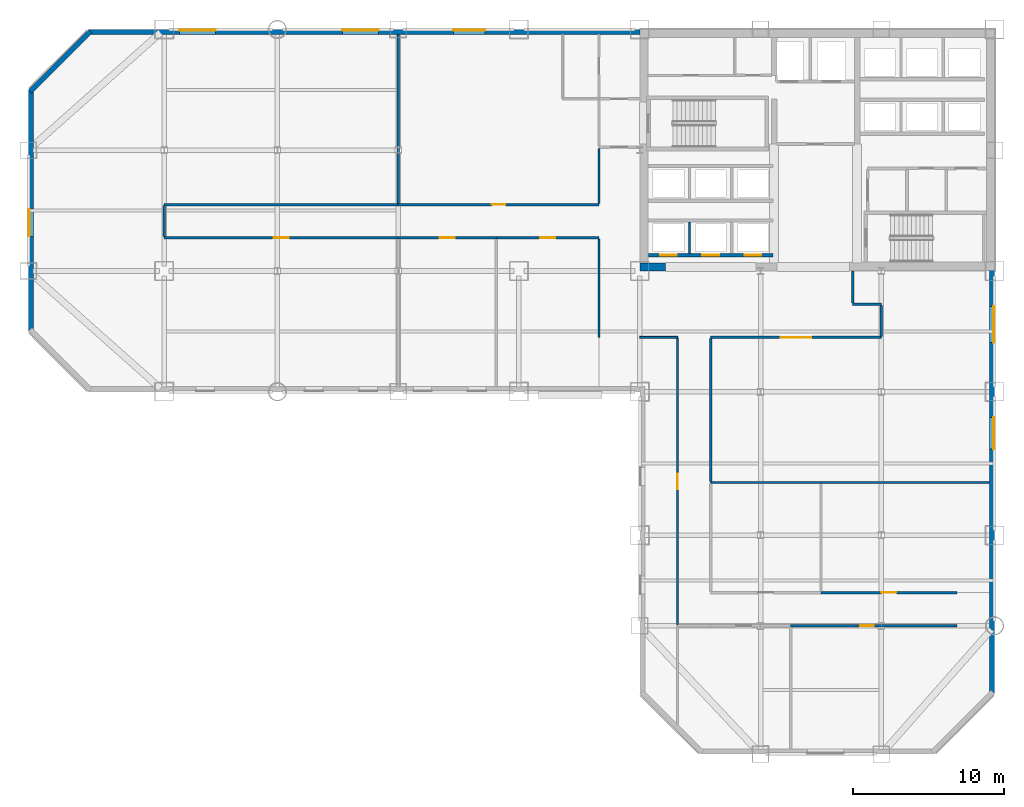
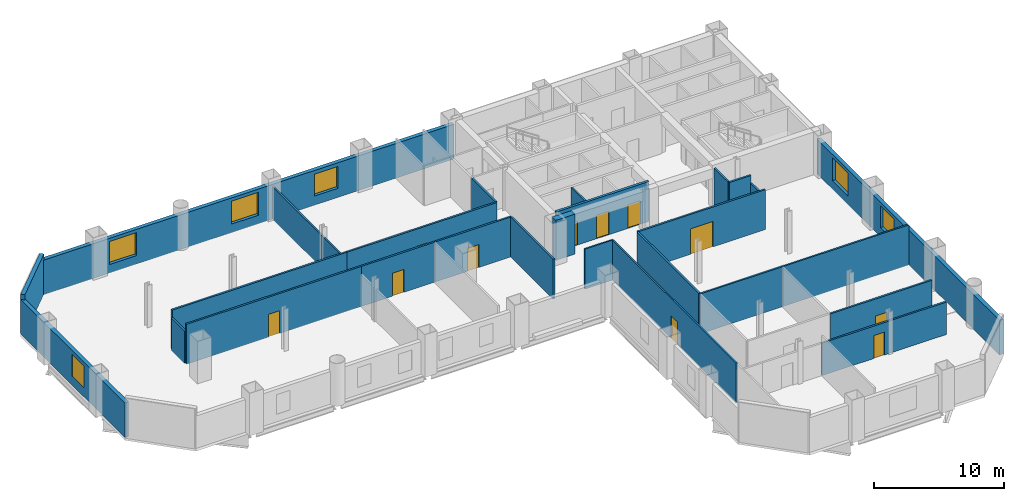
# One storey, part 5 of 9: 27 walls, 11 doors, 6 windows, 17 openings.
"""IFC4 building model written with IfcOpenShell, lengths in metres."""

from ifc_helpers import new_model, si_unit, direction, frame, frame_2d, origin, place, context, subcontext, project, spatial, rectangle, extrude, material, layer, layer_set, type_object, element, fill, save


model = new_model("IFC4")

# Units and contexts
model_context = context("Model", 3, precision=1e-05, world=origin(), true_north=direction((0.0, 1.0)))
body_context = subcontext(model_context, "Body", "Model", "MODEL_VIEW")
ifc_project = project(units=[si_unit("LENGTHUNIT", "METRE"), si_unit("AREAUNIT", "SQUARE_METRE"), si_unit("VOLUMEUNIT", "CUBIC_METRE"), si_unit("PLANEANGLEUNIT", "RADIAN"), si_unit("MASSUNIT", "GRAM", prefix="KILO")], contexts=[model_context])

# Site, building, storey
site_placement = place(None, origin())
site = spatial("IfcSite", under=ifc_project, at=site_placement, CompositionType="ELEMENT")
building_placement = place(site_placement, origin())
building = spatial("IfcBuilding", under=site, at=building_placement, Name="Qianrong Seaharbour Tower", CompositionType="ELEMENT")
storey_placement = place(building_placement, frame((0.0, 0.0, 60.199951171875)))
storey = spatial("IfcBuildingStorey", under=building, at=storey_placement, Name="L14", CompositionType="ELEMENT", Elevation=60.199951171875)

# Wall
ifc_material_1 = material(Name="Concrete C70/85", Category="concrete")
ifc_layer_1 = layer(ifc_material_1, 0.5400390625)
ifc_layer_set_1 = layer_set([ifc_layer_1], Name="Concrete C70/85")
wall_type_1 = type_object("IfcWallType", Name="WALL-CORE-540", PredefinedType="SHEAR", material=ifc_layer_set_1)
wall_1_placement = place(storey_placement, frame((40.5, 36.27001953125, 0.0), z_axis=(0.0, 0.0, 1.0), x_axis=(1.0, 0.0, 0.0)))
element("IfcWall", 1, at=wall_1_placement, inside=storey, type_object=wall_type_1, Name="L14 South Core Shear Wall S1", PredefinedType="SHEAR", context=body_context, shape_type="SweptSolid", body=[
    extrude(rectangle(XDim=1.699951171875, YDim=0.5400390625, at=frame_2d((0.85009765625, 0.0))), origin(), (0.0, 0.0, 1.0), 3.75),
])

# Wall, opening, door
ifc_material_2 = material(Name="Fire-rated acoustic gypsum board partition")
ifc_layer_2 = layer(ifc_material_2, 0.1650390625)
ifc_layer_set_2 = layer_set([ifc_layer_2], Name="Fire-rated acoustic gypsum board partition")
wall_type_2 = type_object("IfcWallType", Name="WALL-CORR-PART-165", PredefinedType="PARTITIONING", material=ifc_layer_set_2)
wall_2_placement = place(storey_placement, frame((24.5, 38.199951171875, 0.0), z_axis=(0.0, 0.0, 1.0), x_axis=(-1.0, 0.0, 0.0)))
wall_2 = element("IfcWall", 2, at=wall_2_placement, inside=storey, type_object=wall_type_2, Name="L14 Interior Partition Wall 017", PredefinedType="PARTITIONING", context=body_context, shape_type="SweptSolid", body=[
    extrude(rectangle(XDim=15.5, YDim=0.1650390625, at=frame_2d((7.75, 0.0))), origin(), (0.0, 0.0, 1.0), 3.75),
])
opening_1_placement = place(wall_2_placement, frame((7.25, 0.0, 0.0)))
opening_1 = element("IfcOpeningElement", 3, at=opening_1_placement, cuts=wall_2, Name="Opening DO-01", PredefinedType="OPENING", context=body_context, shape_type="SweptSolid", body=[
    extrude(rectangle(XDim=1.0, YDim=2.14990234375, at=frame_2d((0.5, 1.074951171875))), frame((0.0, 0.092529296875, 0.0), z_axis=(0.0, -1.0, 0.0), x_axis=(1.0, 0.0, 0.0)), (0.0, 0.0, 1.0), 0.18505859375),
])
ifc_material_3 = material(Name="Acoustic timber and galvanized steel fire door assembly", Category="steel")
door_type_1 = type_object("IfcDoorType", Name="DOOR-OFFICE-1000x2150", OperationType="NOTDEFINED", PredefinedType="DOOR", material=ifc_material_3)
door_1_placement = place(opening_1_placement, origin())
door_1 = element("IfcDoor", 4, at=door_1_placement, inside=storey, type_object=door_type_1, Name="L14 West Harbour Open-Plan Office Door", OperationType="SINGLE_SWING_LEFT", OverallHeight=2.14990234375, OverallWidth=1.0, PredefinedType="DOOR", context=body_context, shape_type="SweptSolid", body=[
    extrude(rectangle(XDim=1.0, YDim=2.14990234375, at=frame_2d((0.5, 1.074951171875))), frame((0.0, 0.02490234375, 0.0), z_axis=(0.0, -1.0, 0.0), x_axis=(1.0, 0.0, 0.0)), (0.0, 0.0, 1.0), 0.050048828125),
])
fill(opening_1, door_1)

# Walls
wall_3_placement = place(storey_placement, frame((9.0, 38.2744140625, 0.0), z_axis=(0.0, 0.0, 1.0), x_axis=(0.0, 1.0, 0.0)))
element("IfcWall", 5, at=wall_3_placement, inside=storey, type_object=wall_type_2, Name="L14 Interior Partition Wall 018", PredefinedType="PARTITIONING", context=body_context, shape_type="SweptSolid", body=[
    extrude(rectangle(XDim=2.051025390625, YDim=0.1650390625, at=frame_2d((1.025390625, 0.0))), origin(), (0.0, 0.0, 1.0), 3.0419921875),
])
wall_4_placement = place(storey_placement, frame((9.0, 40.39990234375, 0.0), z_axis=(0.0, 0.0, 1.0), x_axis=(1.0, 0.0, 0.0)))
element("IfcWall", 6, at=wall_4_placement, inside=storey, type_object=wall_type_2, Name="L14 Interior Partition Wall 019", PredefinedType="PARTITIONING", context=body_context, shape_type="SweptSolid", body=[
    extrude(rectangle(XDim=15.5, YDim=0.1650390625, at=frame_2d((7.75, 0.0))), origin(), (0.0, 0.0, 1.0), 3.75),
])

# Wall, opening, door
wall_5_placement = place(storey_placement, frame((24.5, 40.39990234375, 0.0), z_axis=(0.0, 0.0, 1.0), x_axis=(1.0, 0.0, 0.0)))
wall_5 = element("IfcWall", 7, at=wall_5_placement, inside=storey, type_object=wall_type_2, Name="L14 Interior Partition Wall 020", PredefinedType="PARTITIONING", context=body_context, shape_type="SweptSolid", body=[
    extrude(rectangle(XDim=13.300048828125, YDim=0.1650390625, at=frame_2d((6.64990234375, 0.0))), origin(), (0.0, 0.0, 1.0), 3.75),
])
opening_2_placement = place(wall_5_placement, frame((6.199951171875, 0.0, 0.0)))
opening_2 = element("IfcOpeningElement", 8, at=opening_2_placement, cuts=wall_5, Name="Opening DS-01", PredefinedType="OPENING", context=body_context, shape_type="SweptSolid", body=[
    extrude(rectangle(XDim=0.89990234375, YDim=2.14990234375, at=frame_2d((0.449951171875, 1.074951171875))), frame((0.0, 0.092529296875, 0.0), z_axis=(0.0, -1.0, 0.0), x_axis=(1.0, 0.0, 0.0)), (0.0, 0.0, 1.0), 0.18505859375),
])
door_type_2 = type_object("IfcDoorType", Name="DOOR-STORE-900x2150", OperationType="NOTDEFINED", PredefinedType="DOOR", material=ifc_material_3)
door_2_placement = place(opening_2_placement, origin())
door_2 = element("IfcDoor", 9, at=door_2_placement, inside=storey, type_object=door_type_2, Name="L14 Corporate Archive Room Door", OperationType="SINGLE_SWING_RIGHT", OverallHeight=2.14990234375, OverallWidth=0.89990234375, PredefinedType="DOOR", context=body_context, shape_type="SweptSolid", body=[
    extrude(rectangle(XDim=0.89990234375, YDim=2.14990234375, at=frame_2d((0.449951171875, 1.074951171875))), frame((0.0, 0.02490234375, 0.0), z_axis=(0.0, -1.0, 0.0), x_axis=(1.0, 0.0, 0.0)), (0.0, 0.0, 1.0), 0.050048828125),
])
fill(opening_2, door_2)

wall_6_placement = place(storey_placement, frame((31.0, 38.199951171875, 0.0), z_axis=(0.0, 0.0, 1.0), x_axis=(-1.0, 0.0, 0.0)))
wall_6 = element("IfcWall", 10, at=wall_6_placement, inside=storey, type_object=wall_type_2, Name="L14 Interior Partition Wall 021", PredefinedType="PARTITIONING", context=body_context, shape_type="SweptSolid", body=[
    extrude(rectangle(XDim=6.5, YDim=0.1650390625, at=frame_2d((3.25, 0.0))), origin(), (0.0, 0.0, 1.0), 3.75),
])
opening_3_placement = place(wall_6_placement, frame((2.75, 0.0, 0.0)))
opening_3 = element("IfcOpeningElement", 11, at=opening_3_placement, cuts=wall_6, Name="Opening DO-01", PredefinedType="OPENING", context=body_context, shape_type="SweptSolid", body=[
    extrude(rectangle(XDim=1.0, YDim=2.14990234375, at=frame_2d((0.5, 1.074951171875))), frame((0.0, 0.092529296875, 0.0), z_axis=(0.0, -1.0, 0.0), x_axis=(1.0, 0.0, 0.0)), (0.0, 0.0, 1.0), 0.18505859375),
])
door_3_placement = place(opening_3_placement, origin())
door_3 = element("IfcDoor", 12, at=door_3_placement, inside=storey, type_object=door_type_1, Name="L14 Project Library 1 Door", OperationType="SINGLE_SWING_LEFT", OverallHeight=2.14990234375, OverallWidth=1.0, PredefinedType="DOOR", context=body_context, shape_type="SweptSolid", body=[
    extrude(rectangle(XDim=1.0, YDim=2.14990234375, at=frame_2d((0.5, 1.074951171875))), frame((0.0, 0.02490234375, 0.0), z_axis=(0.0, -1.0, 0.0), x_axis=(1.0, 0.0, 0.0)), (0.0, 0.0, 1.0), 0.050048828125),
])
fill(opening_3, door_3)

wall_7_placement = place(storey_placement, frame((37.800048828125, 38.199951171875, 0.0), z_axis=(0.0, 0.0, 1.0), x_axis=(-1.0, 0.0, 0.0)))
wall_7 = element("IfcWall", 13, at=wall_7_placement, inside=storey, type_object=wall_type_2, Name="L14 Interior Partition Wall 022", PredefinedType="PARTITIONING", context=body_context, shape_type="SweptSolid", body=[
    extrude(rectangle(XDim=6.800048828125, YDim=0.1650390625, at=frame_2d((3.39990234375, 0.0))), origin(), (0.0, 0.0, 1.0), 3.75),
])
opening_4_placement = place(wall_7_placement, frame((2.89990234375, 0.0, 0.0)))
opening_4 = element("IfcOpeningElement", 14, at=opening_4_placement, cuts=wall_7, Name="Opening DO-01", PredefinedType="OPENING", context=body_context, shape_type="SweptSolid", body=[
    extrude(rectangle(XDim=1.0, YDim=2.14990234375, at=frame_2d((0.5, 1.074951171875))), frame((0.0, 0.092529296875, 0.0), z_axis=(0.0, -1.0, 0.0), x_axis=(1.0, 0.0, 0.0)), (0.0, 0.0, 1.0), 0.18505859375),
])
door_4_placement = place(opening_4_placement, origin())
door_4 = element("IfcDoor", 15, at=door_4_placement, inside=storey, type_object=door_type_1, Name="L14 Digital Media Hall 2 Door", OperationType="SINGLE_SWING_RIGHT", OverallHeight=2.14990234375, OverallWidth=1.0, PredefinedType="DOOR", context=body_context, shape_type="SweptSolid", body=[
    extrude(rectangle(XDim=1.0, YDim=2.14990234375, at=frame_2d((0.5, 1.074951171875))), frame((0.0, 0.02490234375, 0.0), z_axis=(0.0, -1.0, 0.0), x_axis=(1.0, 0.0, 0.0)), (0.0, 0.0, 1.0), 0.050048828125),
])
fill(opening_4, door_4)

# Walls
wall_8_placement = place(storey_placement, frame((37.800048828125, 40.474609375, 0.0), z_axis=(0.0, 0.0, 1.0), x_axis=(0.0, 1.0, 0.0)))
element("IfcWall", 16, at=wall_8_placement, inside=storey, type_object=wall_type_2, Name="L14 Interior Partition Wall 023", PredefinedType="PARTITIONING", context=body_context, shape_type="SweptSolid", body=[
    extrude(rectangle(XDim=3.65087890625, YDim=0.1650390625, at=frame_2d((1.825439453125, 0.0))), origin(), (0.0, 0.0, 1.0), 3.75),
])
wall_9_placement = place(storey_placement, frame((37.800048828125, 31.60009765625, 0.0), z_axis=(0.0, 0.0, 1.0), x_axis=(0.0, 1.0, 0.0)))
element("IfcWall", 17, at=wall_9_placement, inside=storey, type_object=wall_type_2, Name="L14 Interior Partition Wall 024", PredefinedType="PARTITIONING", context=body_context, shape_type="SweptSolid", body=[
    extrude(rectangle(XDim=6.525390625, YDim=0.1650390625, at=frame_2d((3.2626953125, 0.0))), origin(), (0.0, 0.0, 1.0), 3.75),
])
wall_10_placement = place(storey_placement, frame((54.60009765625, 36.0, 0.0), z_axis=(0.0, 0.0, 1.0), x_axis=(0.0, -1.0, 0.0)))
element("IfcWall", 18, at=wall_10_placement, inside=storey, type_object=wall_type_2, Name="L14 Interior Partition Wall 025", PredefinedType="PARTITIONING", context=body_context, shape_type="SweptSolid", body=[
    extrude(rectangle(XDim=2.12548828125, YDim=0.1650390625, at=frame_2d((1.062744140625, 0.0))), origin(), (0.0, 0.0, 1.0), 3.75),
])
wall_11_placement = place(storey_placement, frame((54.60009765625, 33.800048828125, 0.0), z_axis=(0.0, 0.0, 1.0), x_axis=(1.0, 0.0, 0.0)))
element("IfcWall", 19, at=wall_11_placement, inside=storey, type_object=wall_type_2, Name="L14 Interior Partition Wall 026", PredefinedType="PARTITIONING", context=body_context, shape_type="SweptSolid", body=[
    extrude(rectangle(XDim=1.89990234375, YDim=0.1650390625, at=frame_2d((0.949951171875, 0.0))), origin(), (0.0, 0.0, 1.0), 3.75),
])
wall_12_placement = place(storey_placement, frame((56.5, 33.7255859375, 0.0), z_axis=(0.0, 0.0, 1.0), x_axis=(0.0, -1.0, 0.0)))
element("IfcWall", 20, at=wall_12_placement, inside=storey, type_object=wall_type_2, Name="L14 Interior Partition Wall 027", PredefinedType="PARTITIONING", context=body_context, shape_type="SweptSolid", body=[
    extrude(rectangle(XDim=2.051025390625, YDim=0.1650390625, at=frame_2d((1.025390625, 0.0))), origin(), (0.0, 0.0, 1.0), 3.0419921875),
])

# Wall, opening, door
wall_13_placement = place(storey_placement, frame((56.5, 31.60009765625, 0.0), z_axis=(0.0, 0.0, 1.0), x_axis=(-1.0, 0.0, 0.0)))
wall_13 = element("IfcWall", 21, at=wall_13_placement, inside=storey, type_object=wall_type_2, Name="L14 Interior Partition Wall 028", PredefinedType="PARTITIONING", context=body_context, shape_type="SweptSolid", body=[
    extrude(rectangle(XDim=11.300048828125, YDim=0.1650390625, at=frame_2d((5.64990234375, 0.0))), origin(), (0.0, 0.0, 1.0), 3.75),
])
opening_5_placement = place(wall_13_placement, frame((4.64990234375, 0.0, 0.0)))
opening_5 = element("IfcOpeningElement", 22, at=opening_5_placement, cuts=wall_13, Name="Opening DA-01", PredefinedType="OPENING", context=body_context, shape_type="SweptSolid", body=[
    extrude(rectangle(XDim=2.0, YDim=2.39990234375, at=frame_2d((1.0, 1.199951171875))), frame((0.0, 0.092529296875, 0.0), z_axis=(0.0, -1.0, 0.0), x_axis=(1.0, 0.0, 0.0)), (0.0, 0.0, 1.0), 0.18505859375),
])
door_type_3 = type_object("IfcDoorType", Name="DOOR-AUD-PAIR-2000x2400", OperationType="DOUBLE_DOOR_SINGLE_SWING", PredefinedType="DOOR", material=ifc_material_3)
door_5_placement = place(opening_5_placement, origin())
door_5 = element("IfcDoor", 23, at=door_5_placement, inside=storey, type_object=door_type_3, Name="L14 Staff Club Assembly Hall Door", OperationType="DOUBLE_DOOR_SINGLE_SWING", OverallHeight=2.39990234375, OverallWidth=2.0, PredefinedType="DOOR", context=body_context, shape_type="SweptSolid", body=[
    extrude(rectangle(XDim=2.0, YDim=2.39990234375, at=frame_2d((1.0, 1.199951171875))), frame((0.0, 0.02490234375, 0.0), z_axis=(0.0, -1.0, 0.0), x_axis=(1.0, 0.0, 0.0)), (0.0, 0.0, 1.0), 0.050048828125),
])
fill(opening_5, door_5)

# Wall
wall_14_placement = place(storey_placement, frame((45.199951171875, 31.525390625, 0.0), z_axis=(0.0, 0.0, 1.0), x_axis=(0.0, -1.0, 0.0)))
element("IfcWall", 24, at=wall_14_placement, inside=storey, type_object=wall_type_2, Name="L14 Interior Partition Wall 030", PredefinedType="PARTITIONING", context=body_context, shape_type="SweptSolid", body=[
    extrude(rectangle(XDim=9.4609375, YDim=0.1650390625, at=frame_2d((4.73046875, 0.0))), origin(), (0.0, 0.0, 1.0), 3.75),
])

# Wall, opening, door
wall_15_placement = place(storey_placement, frame((52.5, 14.699951171875, 0.0), z_axis=(0.0, 0.0, 1.0), x_axis=(1.0, 0.0, 0.0)))
wall_15 = element("IfcWall", 25, at=wall_15_placement, inside=storey, type_object=wall_type_2, Name="L14 Interior Partition Wall 035", PredefinedType="PARTITIONING", context=body_context, shape_type="SweptSolid", body=[
    extrude(rectangle(XDim=9.0, YDim=0.1650390625, at=frame_2d((4.5, 0.0))), origin(), (0.0, 0.0, 1.0), 3.75),
])
opening_6_placement = place(wall_15_placement, frame((4.0, 0.0, 0.0)))
opening_6 = element("IfcOpeningElement", 26, at=opening_6_placement, cuts=wall_15, Name="Opening DO-01", PredefinedType="OPENING", context=body_context, shape_type="SweptSolid", body=[
    extrude(rectangle(XDim=1.0, YDim=2.14990234375, at=frame_2d((0.5, 1.074951171875))), frame((0.0, 0.092529296875, 0.0), z_axis=(0.0, -1.0, 0.0), x_axis=(1.0, 0.0, 0.0)), (0.0, 0.0, 1.0), 0.18505859375),
])
door_6_placement = place(opening_6_placement, origin())
door_6 = element("IfcDoor", 27, at=door_6_placement, inside=storey, type_object=door_type_1, Name="L14 Executive Office 2 Door", OperationType="SINGLE_SWING_RIGHT", OverallHeight=2.14990234375, OverallWidth=1.0, PredefinedType="DOOR", context=body_context, shape_type="SweptSolid", body=[
    extrude(rectangle(XDim=1.0, YDim=2.14990234375, at=frame_2d((0.5, 1.074951171875))), frame((0.0, 0.02490234375, 0.0), z_axis=(0.0, -1.0, 0.0), x_axis=(1.0, 0.0, 0.0)), (0.0, 0.0, 1.0), 0.050048828125),
])
fill(opening_6, door_6)

wall_16_placement = place(storey_placement, frame((61.5, 12.5, 0.0), z_axis=(0.0, 0.0, 1.0), x_axis=(-1.0, 0.0, 0.0)))
wall_16 = element("IfcWall", 28, at=wall_16_placement, inside=storey, type_object=wall_type_2, Name="L14 Interior Partition Wall 037", PredefinedType="PARTITIONING", context=body_context, shape_type="SweptSolid", body=[
    extrude(rectangle(XDim=11.0, YDim=0.1650390625, at=frame_2d((5.5, 0.0))), origin(), (0.0, 0.0, 1.0), 3.0419921875),
])
opening_7_placement = place(wall_16_placement, frame((5.5, 0.0, 0.0)))
opening_7 = element("IfcOpeningElement", 29, at=opening_7_placement, cuts=wall_16, Name="Opening DS-01", PredefinedType="OPENING", context=body_context, shape_type="SweptSolid", body=[
    extrude(rectangle(XDim=0.89990234375, YDim=2.14990234375, at=frame_2d((0.449951171875, 1.074951171875))), frame((0.0, 0.092529296875, 0.0), z_axis=(0.0, -1.0, 0.0), x_axis=(1.0, 0.0, 0.0)), (0.0, 0.0, 1.0), 0.18505859375),
])
door_7_placement = place(opening_7_placement, origin())
door_7 = element("IfcDoor", 30, at=door_7_placement, inside=storey, type_object=door_type_2, Name="L14 Corporate Archive Room 2 Door", OperationType="SINGLE_SWING_LEFT", OverallHeight=2.14990234375, OverallWidth=0.89990234375, PredefinedType="DOOR", context=body_context, shape_type="SweptSolid", body=[
    extrude(rectangle(XDim=0.89990234375, YDim=2.14990234375, at=frame_2d((0.449951171875, 1.074951171875))), frame((0.0, 0.02490234375, 0.0), z_axis=(0.0, -1.0, 0.0), x_axis=(1.0, 0.0, 0.0)), (0.0, 0.0, 1.0), 0.050048828125),
])
fill(opening_7, door_7)

# Wall, opening, window
ifc_material_4 = material(Name="Unitised buff brick on Precast concrete C45/55", Category="masonry")
ifc_layer_3 = layer(ifc_material_4, 0.340087890625)
ifc_layer_set_3 = layer_set([ifc_layer_3], Name="Unitised buff brick on Precast concrete C45/55")
wall_type_3 = type_object("IfcWallType", Name="WALL-EXT-BRICK-BUFF-340", PredefinedType="SOLIDWALL", material=ifc_layer_set_3)
wall_17_placement = place(storey_placement, frame((0.169921875, 32.0, 0.0), z_axis=(0.0, 0.0, 1.0), x_axis=(0.0, 1.0, 0.0)))
wall_17 = element("IfcWall", 31, at=wall_17_placement, inside=storey, type_object=wall_type_3, Name="L14 Exterior Masonry Facade Wall WEST_TIP", PredefinedType="SOLIDWALL", context=body_context, shape_type="SweptSolid", body=[
    extrude(rectangle(XDim=16.0, YDim=0.340087890625, at=frame_2d((8.0, 0.0))), origin(), (0.0, 0.0, 1.0), 3.25),
])
opening_8_placement = place(wall_17_placement, frame((6.300048828125, 0.0, 0.85009765625)))
opening_8 = element("IfcOpeningElement", 32, at=opening_8_placement, cuts=wall_17, Name="Opening WN-05", PredefinedType="OPENING", context=body_context, shape_type="SweptSolid", body=[
    extrude(rectangle(XDim=1.800048828125, YDim=2.050048828125, at=frame_2d((0.89990234375, 1.02490234375))), frame((0.0, 0.18017578125, 0.0), z_axis=(0.0, -1.0, 0.0), x_axis=(1.0, 0.0, 0.0)), (0.0, 0.0, 1.0), 0.360107421875),
])
ifc_material_5 = material(Name="Insulated low-e double glazing in thermally broken aluminium 6063-T6 frame", Category="aluminium")
window_type_1 = type_object("IfcWindowType", Name="WIN-PUNCH-1800x2050", PartitioningType="TRIPLE_PANEL_VERTICAL", PredefinedType="WINDOW", material=ifc_material_5)
window_1_placement = place(opening_8_placement, origin())
window_1 = element("IfcWindow", 33, at=window_1_placement, inside=storey, type_object=window_type_1, Name="L14 Deep-Set Punched Window 03.02", OverallHeight=2.050048828125, OverallWidth=1.800048828125, PartitioningType="TRIPLE_PANEL_VERTICAL", PredefinedType="WINDOW", context=body_context, shape_type="SweptSolid", body=[
    extrude(rectangle(XDim=1.800048828125, YDim=2.050048828125, at=frame_2d((0.89990234375, 1.02490234375))), frame((0.0, 0.150146484375, 0.0), z_axis=(0.0, -1.0, 0.0), x_axis=(1.0, 0.0, 0.0)), (0.0, 0.0, 1.0), 0.06005859375),
])
fill(opening_8, window_1)

# Wall
wall_18_placement = place(storey_placement, frame((0.1201171875, 47.8798828125, 0.0), z_axis=(0.0, 0.0, 1.0), x_axis=(0.707106781187, 0.707106781187, 0.0)))
element("IfcWall", 34, at=wall_18_placement, inside=storey, type_object=wall_type_3, Name="L14 Exterior Masonry Facade Wall E04", PredefinedType="SOLIDWALL", context=body_context, shape_type="SweptSolid", body=[
    extrude(rectangle(XDim=5.65673828125, YDim=0.340087890625, at=frame_2d((2.828369140625, 0.0))), origin(), (0.0, 0.0, 1.0), 3.75),
])

# Wall, openings, windows
wall_19_placement = place(storey_placement, frame((4.0, 51.830078125, 0.0), z_axis=(0.0, 0.0, 1.0), x_axis=(1.0, 0.0, 0.0)))
wall_19 = element("IfcWall", 35, at=wall_19_placement, inside=storey, type_object=wall_type_3, Name="L14 Exterior Masonry Facade Wall NORTH_WING", PredefinedType="SOLIDWALL", context=body_context, shape_type="SweptSolid", body=[
    extrude(rectangle(XDim=36.52001953125, YDim=0.340087890625, at=frame_2d((18.260009765625, 0.0))), origin(), (0.0, 0.0, 1.0), 3.25),
])
opening_9_placement = place(wall_19_placement, frame((6.0, 0.0, 0.800048828125)))
opening_9 = element("IfcOpeningElement", 36, at=opening_9_placement, cuts=wall_19, Name="Opening WN-07", PredefinedType="OPENING", context=body_context, shape_type="SweptSolid", body=[
    extrude(rectangle(XDim=2.39990234375, YDim=2.14990234375, at=frame_2d((1.199951171875, 1.074951171875))), frame((0.0, 0.18017578125, 0.0), z_axis=(0.0, -1.0, 0.0), x_axis=(1.0, 0.0, 0.0)), (0.0, 0.0, 1.0), 0.360107421875),
])
opening_10_placement = place(wall_19_placement, frame((16.800048828125, 0.0, 0.800048828125)))
opening_10 = element("IfcOpeningElement", 37, at=opening_10_placement, cuts=wall_19, Name="Opening WN-07", PredefinedType="OPENING", context=body_context, shape_type="SweptSolid", body=[
    extrude(rectangle(XDim=2.39990234375, YDim=2.14990234375, at=frame_2d((1.199951171875, 1.074951171875))), frame((0.0, 0.18017578125, 0.0), z_axis=(0.0, -1.0, 0.0), x_axis=(1.0, 0.0, 0.0)), (0.0, 0.0, 1.0), 0.360107421875),
])
opening_11_placement = place(wall_19_placement, frame((24.14990234375, 0.0, 0.85009765625)))
opening_11 = element("IfcOpeningElement", 38, at=opening_11_placement, cuts=wall_19, Name="Opening WN-06", PredefinedType="OPENING", context=body_context, shape_type="SweptSolid", body=[
    extrude(rectangle(XDim=2.10009765625, YDim=2.050048828125, at=frame_2d((1.050048828125, 1.02490234375))), frame((0.0, 0.18017578125, 0.0), z_axis=(0.0, -1.0, 0.0), x_axis=(1.0, 0.0, 0.0)), (0.0, 0.0, 1.0), 0.360107421875),
])
window_type_2 = type_object("IfcWindowType", Name="WIN-PUNCH-2100x2050", PartitioningType="TRIPLE_PANEL_VERTICAL", PredefinedType="WINDOW", material=ifc_material_5)
window_2_placement = place(opening_11_placement, origin())
window_2 = element("IfcWindow", 39, at=window_2_placement, inside=storey, type_object=window_type_2, Name="L14 Deep-Set Punched Window 05.07", OverallHeight=2.050048828125, OverallWidth=2.10009765625, PartitioningType="TRIPLE_PANEL_VERTICAL", PredefinedType="WINDOW", context=body_context, shape_type="SweptSolid", body=[
    extrude(rectangle(XDim=2.10009765625, YDim=2.050048828125, at=frame_2d((1.050048828125, 1.02490234375))), frame((0.0, 0.150146484375, 0.0), z_axis=(0.0, -1.0, 0.0), x_axis=(1.0, 0.0, 0.0)), (0.0, 0.0, 1.0), 0.06005859375),
])
fill(opening_11, window_2)
window_type_3 = type_object("IfcWindowType", Name="WIN-PUNCH-2400x2150", PartitioningType="TRIPLE_PANEL_VERTICAL", PredefinedType="WINDOW", material=ifc_material_5)
window_3_placement = place(opening_9_placement, origin())
window_3 = element("IfcWindow", 40, at=window_3_placement, inside=storey, type_object=window_type_3, Name="L14 Deep-Set Punched Window 05.02", OverallHeight=2.14990234375, OverallWidth=2.39990234375, PartitioningType="TRIPLE_PANEL_VERTICAL", PredefinedType="WINDOW", context=body_context, shape_type="SweptSolid", body=[
    extrude(rectangle(XDim=2.39990234375, YDim=2.14990234375, at=frame_2d((1.199951171875, 1.074951171875))), frame((0.0, 0.150146484375, 0.0), z_axis=(0.0, -1.0, 0.0), x_axis=(1.0, 0.0, 0.0)), (0.0, 0.0, 1.0), 0.06005859375),
])
fill(opening_9, window_3)
window_4_placement = place(opening_10_placement, origin())
window_4 = element("IfcWindow", 41, at=window_4_placement, inside=storey, type_object=window_type_3, Name="L14 Deep-Set Punched Window 05.05", OverallHeight=2.14990234375, OverallWidth=2.39990234375, PartitioningType="TRIPLE_PANEL_VERTICAL", PredefinedType="WINDOW", context=body_context, shape_type="SweptSolid", body=[
    extrude(rectangle(XDim=2.39990234375, YDim=2.14990234375, at=frame_2d((1.199951171875, 1.074951171875))), frame((0.0, 0.150146484375, 0.0), z_axis=(0.0, -1.0, 0.0), x_axis=(1.0, 0.0, 0.0)), (0.0, 0.0, 1.0), 0.06005859375),
])
fill(opening_10, window_4)

wall_20_placement = place(storey_placement, frame((63.830078125, 36.050048828125, 0.0), z_axis=(0.0, 0.0, 1.0), x_axis=(0.0, -1.0, 0.0)))
wall_20 = element("IfcWall", 42, at=wall_20_placement, inside=storey, type_object=wall_type_3, Name="L14 Exterior Masonry Facade Wall EAST_WING", PredefinedType="SOLIDWALL", context=body_context, shape_type="SweptSolid", body=[
    extrude(rectangle(XDim=28.050048828125, YDim=0.340087890625, at=frame_2d((14.02490234375, 0.0))), origin(), (0.0, 0.0, 1.0), 3.25),
])
opening_12_placement = place(wall_20_placement, frame((2.39990234375, 0.0, 0.800048828125)))
opening_12 = element("IfcOpeningElement", 43, at=opening_12_placement, cuts=wall_20, Name="Opening WN-07", PredefinedType="OPENING", context=body_context, shape_type="SweptSolid", body=[
    extrude(rectangle(XDim=2.39990234375, YDim=2.14990234375, at=frame_2d((1.199951171875, 1.074951171875))), frame((0.0, 0.18017578125, 0.0), z_axis=(0.0, -1.0, 0.0), x_axis=(1.0, 0.0, 0.0)), (0.0, 0.0, 1.0), 0.360107421875),
])
opening_13_placement = place(wall_20_placement, frame((9.75, 0.0, 0.85009765625)))
opening_13 = element("IfcOpeningElement", 44, at=opening_13_placement, cuts=wall_20, Name="Opening WN-06", PredefinedType="OPENING", context=body_context, shape_type="SweptSolid", body=[
    extrude(rectangle(XDim=2.10009765625, YDim=2.050048828125, at=frame_2d((1.050048828125, 1.02490234375))), frame((0.0, 0.18017578125, 0.0), z_axis=(0.0, -1.0, 0.0), x_axis=(1.0, 0.0, 0.0)), (0.0, 0.0, 1.0), 0.360107421875),
])
window_5_placement = place(opening_13_placement, origin())
window_5 = element("IfcWindow", 45, at=window_5_placement, inside=storey, type_object=window_type_2, Name="L14 Deep-Set Punched Window 06.03", OverallHeight=2.050048828125, OverallWidth=2.10009765625, PartitioningType="TRIPLE_PANEL_VERTICAL", PredefinedType="WINDOW", context=body_context, shape_type="SweptSolid", body=[
    extrude(rectangle(XDim=2.10009765625, YDim=2.050048828125, at=frame_2d((1.050048828125, 1.02490234375))), frame((0.0, 0.150146484375, 0.0), z_axis=(0.0, -1.0, 0.0), x_axis=(1.0, 0.0, 0.0)), (0.0, 0.0, 1.0), 0.06005859375),
])
fill(opening_13, window_5)
window_6_placement = place(opening_12_placement, origin())
window_6 = element("IfcWindow", 46, at=window_6_placement, inside=storey, type_object=window_type_3, Name="L14 Deep-Set Punched Window 06.01", OverallHeight=2.14990234375, OverallWidth=2.39990234375, PartitioningType="TRIPLE_PANEL_VERTICAL", PredefinedType="WINDOW", context=body_context, shape_type="SweptSolid", body=[
    extrude(rectangle(XDim=2.39990234375, YDim=2.14990234375, at=frame_2d((1.199951171875, 1.074951171875))), frame((0.0, 0.150146484375, 0.0), z_axis=(0.0, -1.0, 0.0), x_axis=(1.0, 0.0, 0.0)), (0.0, 0.0, 1.0), 0.06005859375),
])
fill(opening_12, window_6)

# Walls
ifc_material_6 = material(Name="Acoustic gypsum board stud partition")
ifc_layer_4 = layer(ifc_material_6, 0.14501953125)
ifc_layer_set_4 = layer_set([ifc_layer_4], Name="Acoustic gypsum board stud partition")
wall_type_4 = type_object("IfcWallType", Name="WALL-OFFICE-PART-145", PredefinedType="PARTITIONING", material=ifc_layer_set_4)
wall_21_placement = place(storey_placement, frame((24.5, 51.66796875, 0.0), z_axis=(0.0, 0.0, 1.0), x_axis=(0.0, -1.0, 0.0)))
element("IfcWall", 47, at=wall_21_placement, inside=storey, type_object=wall_type_4, Name="L14 Interior Partition Wall 038", PredefinedType="PARTITIONING", context=body_context, shape_type="SweptSolid", body=[
    extrude(rectangle(XDim=11.193359375, YDim=0.14501953125, at=frame_2d((5.5966796875, 0.0))), origin(), (0.0, 0.0, 1.0), 3.0419921875),
])
wall_22_placement = place(storey_placement, frame((52.5, 22.0, 0.0), z_axis=(0.0, 0.0, 1.0), x_axis=(-1.0, 0.0, 0.0)))
element("IfcWall", 48, at=wall_22_placement, inside=storey, type_object=wall_type_4, Name="L14 Interior Partition Wall 041", PredefinedType="PARTITIONING", context=body_context, shape_type="SweptSolid", body=[
    extrude(rectangle(XDim=7.300048828125, YDim=0.14501953125, at=frame_2d((3.64990234375, 0.0))), origin(), (0.0, 0.0, 1.0), 3.75),
])
wall_23_placement = place(storey_placement, frame((63.66796875, 22.0, 0.0), z_axis=(0.0, 0.0, 1.0), x_axis=(-1.0, 0.0, 0.0)))
element("IfcWall", 49, at=wall_23_placement, inside=storey, type_object=wall_type_4, Name="L14 Interior Partition Wall 042", PredefinedType="PARTITIONING", context=body_context, shape_type="SweptSolid", body=[
    extrude(rectangle(XDim=11.16796875, YDim=0.14501953125, at=frame_2d((5.583984375, 0.0))), origin(), (0.0, 0.0, 1.0), 3.75),
])
ifc_material_7 = material(Name="Fire-rated gypsum board on steel studs", Category="steel")
ifc_layer_5 = layer(ifc_material_7, 0.14990234375)
ifc_layer_set_5 = layer_set([ifc_layer_5], Name="Fire-rated gypsum board on steel studs")
wall_type_5 = type_object("IfcWallType", Name="WALL-SHAFT-DIV-150", PredefinedType="PARTITIONING", material=ifc_layer_set_5)
wall_24_placement = place(storey_placement, frame((43.800048828125, 37.159912109375, 0.0), z_axis=(0.0, 0.0, 1.0), x_axis=(0.0, 1.0, 0.0)))
element("IfcWall", 50, at=wall_24_placement, inside=storey, type_object=wall_type_5, Name="L14 P1 Lift Hoistway Divider 2", PredefinedType="PARTITIONING", context=body_context, shape_type="SweptSolid", body=[
    extrude(rectangle(XDim=2.080078125, YDim=0.14990234375, at=frame_2d((1.0400390625, 0.0))), origin(), (0.0, 0.0, 1.0), 3.75),
])

# Wall, openings, doors
ifc_layer_6 = layer(ifc_material_7, 0.219970703125)
ifc_layer_set_6 = layer_set([ifc_layer_6], Name="Fire-rated gypsum board on steel studs")
wall_type_6 = type_object("IfcWallType", Name="WALL-SHAFT-GYP220", PredefinedType="PARTITIONING", material=ifc_layer_set_6)
wall_25_placement = place(storey_placement, frame((49.320068359375, 37.050048828125, 0.0), z_axis=(0.0, 0.0, 1.0), x_axis=(-1.0, 0.0, 0.0)))
wall_25 = element("IfcWall", 51, at=wall_25_placement, inside=storey, type_object=wall_type_6, Name="L14 P1 Lift Hoistway Front Wall", PredefinedType="PARTITIONING", context=body_context, shape_type="SweptSolid", body=[
    extrude(rectangle(XDim=8.239990234375, YDim=0.219970703125, at=frame_2d((4.1201171875, 0.0))), origin(), (0.0, 0.0, 1.0), 3.75),
])
opening_14_placement = place(wall_25_placement, frame((6.3701171875, 0.0, 0.0)))
opening_14 = element("IfcOpeningElement", 52, at=opening_14_placement, cuts=wall_25, Name="Opening LD-02", PredefinedType="OPENING", context=body_context, shape_type="SweptSolid", body=[
    extrude(rectangle(XDim=1.10009765625, YDim=2.199951171875, at=frame_2d((0.550048828125, 1.10009765625))), frame((0.0, 0.1201171875, 0.0), z_axis=(0.0, -1.0, 0.0), x_axis=(1.0, 0.0, 0.0)), (0.0, 0.0, 1.0), 0.239990234375),
])
opening_15_placement = place(wall_25_placement, frame((3.570068359375, 0.0, 0.0)))
opening_15 = element("IfcOpeningElement", 53, at=opening_15_placement, cuts=wall_25, Name="Opening LD-02", PredefinedType="OPENING", context=body_context, shape_type="SweptSolid", body=[
    extrude(rectangle(XDim=1.10009765625, YDim=2.199951171875, at=frame_2d((0.550048828125, 1.10009765625))), frame((0.0, 0.1201171875, 0.0), z_axis=(0.0, -1.0, 0.0), x_axis=(1.0, 0.0, 0.0)), (0.0, 0.0, 1.0), 0.239990234375),
])
opening_16_placement = place(wall_25_placement, frame((0.77001953125, 0.0, 0.0)))
opening_16 = element("IfcOpeningElement", 54, at=opening_16_placement, cuts=wall_25, Name="Opening LD-02", PredefinedType="OPENING", context=body_context, shape_type="SweptSolid", body=[
    extrude(rectangle(XDim=1.10009765625, YDim=2.199951171875, at=frame_2d((0.550048828125, 1.10009765625))), frame((0.0, 0.1201171875, 0.0), z_axis=(0.0, -1.0, 0.0), x_axis=(1.0, 0.0, 0.0)), (0.0, 0.0, 1.0), 0.239990234375),
])
ifc_material_8 = material(Name="Stainless steel SUS316L bi-parting lift landing door", Category="steel")
door_type_4 = type_object("IfcDoorType", Name="DOOR-LIFT-PASS-1100x2200", OperationType="DOUBLE_DOOR_SLIDING", PredefinedType="DOOR", material=ifc_material_8)
door_8_placement = place(opening_14_placement, origin())
door_8 = element("IfcDoor", 55, at=door_8_placement, inside=storey, type_object=door_type_4, Name="L14 PL-1A Lift Landing Door", OperationType="DOUBLE_DOOR_SLIDING", OverallHeight=2.199951171875, OverallWidth=1.10009765625, PredefinedType="DOOR", context=body_context, shape_type="SweptSolid", body=[
    extrude(rectangle(XDim=1.10009765625, YDim=2.199951171875, at=frame_2d((0.550048828125, 1.10009765625))), frame((0.0, 0.02490234375, 0.0), z_axis=(0.0, -1.0, 0.0), x_axis=(1.0, 0.0, 0.0)), (0.0, 0.0, 1.0), 0.050048828125),
])
fill(opening_14, door_8)
door_9_placement = place(opening_15_placement, origin())
door_9 = element("IfcDoor", 56, at=door_9_placement, inside=storey, type_object=door_type_4, Name="L14 PL-1B Lift Landing Door", OperationType="DOUBLE_DOOR_SLIDING", OverallHeight=2.199951171875, OverallWidth=1.10009765625, PredefinedType="DOOR", context=body_context, shape_type="SweptSolid", body=[
    extrude(rectangle(XDim=1.10009765625, YDim=2.199951171875, at=frame_2d((0.550048828125, 1.10009765625))), frame((0.0, 0.02490234375, 0.0), z_axis=(0.0, -1.0, 0.0), x_axis=(1.0, 0.0, 0.0)), (0.0, 0.0, 1.0), 0.050048828125),
])
fill(opening_15, door_9)
door_10_placement = place(opening_16_placement, origin())
door_10 = element("IfcDoor", 57, at=door_10_placement, inside=storey, type_object=door_type_4, Name="L14 PL-1C Lift Landing Door", OperationType="DOUBLE_DOOR_SLIDING", OverallHeight=2.199951171875, OverallWidth=1.10009765625, PredefinedType="DOOR", context=body_context, shape_type="SweptSolid", body=[
    extrude(rectangle(XDim=1.10009765625, YDim=2.199951171875, at=frame_2d((0.550048828125, 1.10009765625))), frame((0.0, 0.02490234375, 0.0), z_axis=(0.0, -1.0, 0.0), x_axis=(1.0, 0.0, 0.0)), (0.0, 0.0, 1.0), 0.050048828125),
])
fill(opening_16, door_10)

# Wall
ifc_material_9 = material(Name="Water-resistant cement board sanitary partition")
ifc_layer_7 = layer(ifc_material_9, 0.1298828125)
ifc_layer_set_7 = layer_set([ifc_layer_7], Name="Water-resistant cement board sanitary partition")
wall_type_7 = type_object("IfcWallType", Name="WALL-WET-PART-130", PredefinedType="PARTITIONING", material=ifc_layer_set_7)
wall_26_placement = place(storey_placement, frame((43.0, 31.60009765625, 0.0), z_axis=(0.0, 0.0, 1.0), x_axis=(-1.0, 0.0, 0.0)))
element("IfcWall", 58, at=wall_26_placement, inside=storey, type_object=wall_type_7, Name="L14 Interior Partition Wall 029", PredefinedType="PARTITIONING", context=body_context, shape_type="SweptSolid", body=[
    extrude(rectangle(XDim=2.5, YDim=0.1298828125, at=frame_2d((1.25, 0.0))), origin(), (0.0, 0.0, 1.0), 3.75),
])

# Wall, opening, door
wall_27_placement = place(storey_placement, frame((43.0, 12.574462890625, 0.0), z_axis=(0.0, 0.0, 1.0), x_axis=(0.0, 1.0, 0.0)))
wall_27 = element("IfcWall", 59, at=wall_27_placement, inside=storey, type_object=wall_type_7, Name="L14 Interior Partition Wall 032", PredefinedType="PARTITIONING", context=body_context, shape_type="SweptSolid", body=[
    extrude(rectangle(XDim=18.968505859375, YDim=0.1298828125, at=frame_2d((9.484375, 0.0))), origin(), (0.0, 0.0, 1.0), 3.75),
])
opening_17_placement = place(wall_27_placement, frame((8.984130859375, 0.0, 0.0)))
opening_17 = element("IfcOpeningElement", 60, at=opening_17_placement, cuts=wall_27, Name="Opening DO-01", PredefinedType="OPENING", context=body_context, shape_type="SweptSolid", body=[
    extrude(rectangle(XDim=1.0, YDim=2.14990234375, at=frame_2d((0.5, 1.074951171875))), frame((0.0, 0.074951171875, 0.0), z_axis=(0.0, -1.0, 0.0), x_axis=(1.0, 0.0, 0.0)), (0.0, 0.0, 1.0), 0.14990234375),
])
door_11_placement = place(opening_17_placement, origin())
door_11 = element("IfcDoor", 61, at=door_11_placement, inside=storey, type_object=door_type_1, Name="L14 Wet Pantry Door", OperationType="SINGLE_SWING_LEFT", OverallHeight=2.14990234375, OverallWidth=1.0, PredefinedType="DOOR", context=body_context, shape_type="SweptSolid", body=[
    extrude(rectangle(XDim=1.0, YDim=2.14990234375, at=frame_2d((0.5, 1.074951171875))), frame((0.0, 0.02490234375, 0.0), z_axis=(0.0, -1.0, 0.0), x_axis=(1.0, 0.0, 0.0)), (0.0, 0.0, 1.0), 0.050048828125),
])
fill(opening_17, door_11)

save(model, "model.ifc")
